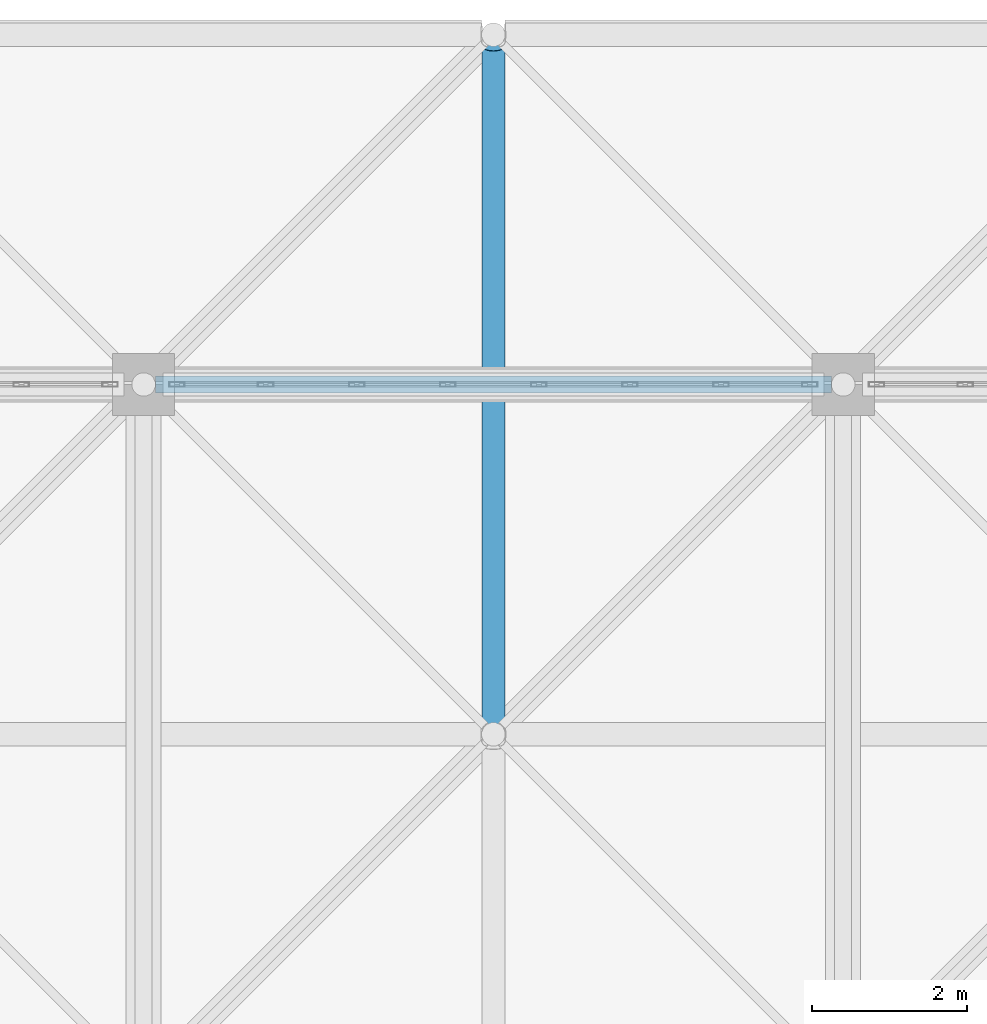
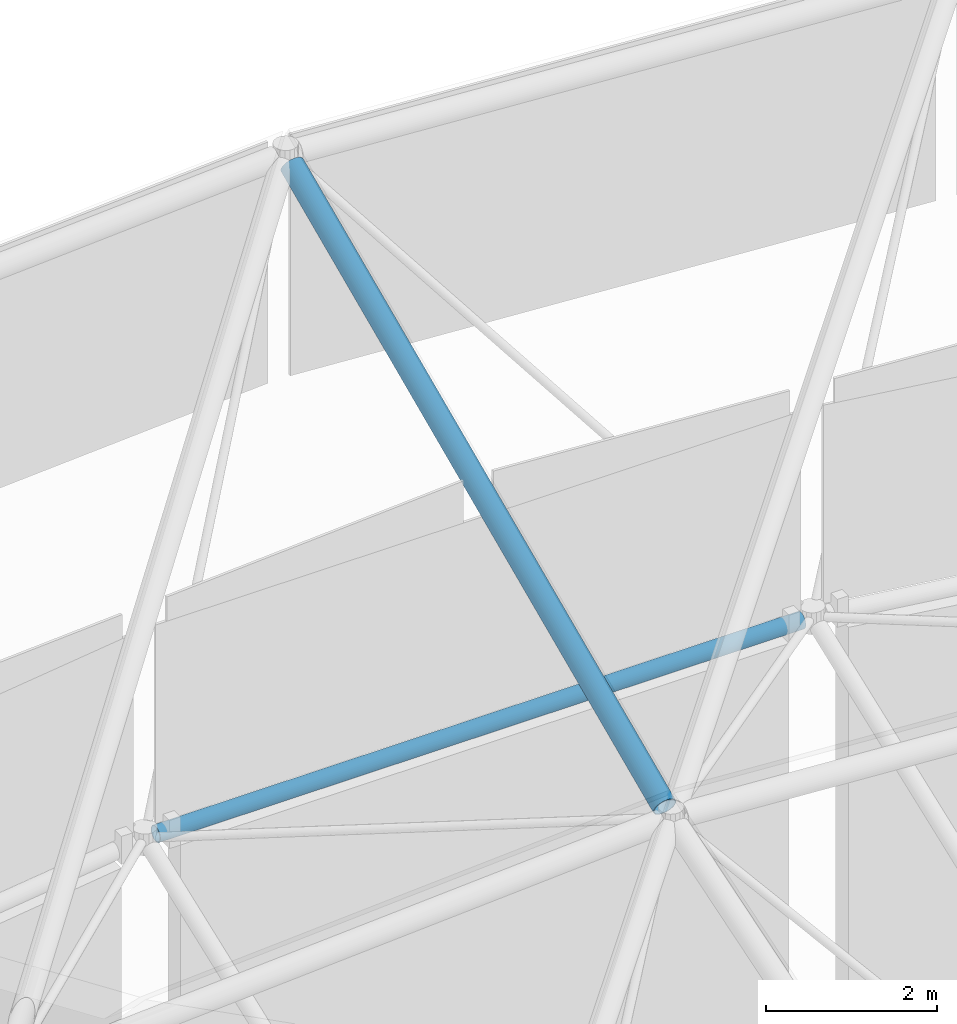
# One storey, part 122 of 437: 2 members.
"""IFC4 building model written with IfcOpenShell, lengths in metres."""

from ifc_helpers import new_model, si_unit, direction, frame, origin, origin_2d, place, context, subcontext, project, spatial, hollow_circle, extrude, material, material_profile, profile_set, type_object, element, save


model = new_model("IFC4")

# Units and contexts
model_context = context("Model", 3, precision=1e-05, world=origin(), true_north=direction((0.0, 1.0)))
body_context = subcontext(model_context, "Body", "Model", "MODEL_VIEW")
ifc_project = project(units=[si_unit("LENGTHUNIT", "METRE"), si_unit("AREAUNIT", "SQUARE_METRE"), si_unit("VOLUMEUNIT", "CUBIC_METRE"), si_unit("PLANEANGLEUNIT", "RADIAN"), si_unit("MASSUNIT", "GRAM", prefix="KILO")], contexts=[model_context])

# Site, building, storey
site_placement = place(None, origin())
site = spatial("IfcSite", under=ifc_project, at=site_placement, CompositionType="ELEMENT")
building_placement = place(site_placement, origin())
building = spatial("IfcBuilding", under=site, at=building_placement, Name="Opaline Strait Convention Centre", CompositionType="ELEMENT")
storey_placement = place(building_placement, frame((0.0, 0.0, 11.5)))
storey = spatial("IfcBuildingStorey", under=building, at=storey_placement, Name="L02", CompositionType="ELEMENT", Elevation=11.5)

# Members
ifc_material = material(Name="Steel Q355B", Category="steel")
ifc_material_profile_1 = material_profile(ifc_material, hollow_circle(Radius=0.109619140625, WallThickness=0.008056640625, at=origin_2d()), Name="CHS 219x8")
ifc_profile_set_1 = profile_set([ifc_material_profile_1], Name="Steel Q355B")
member_type_1 = type_object("IfcMemberType", Name="Shell truss bottom chord CHS 219x8", PredefinedType="CHORD", material=ifc_profile_set_1)
member_1_placement = place(storey_placement, frame((36.14990234375, 180.0, 17.552001953125), z_axis=(1.0, 0.0, 0.0), x_axis=(0.0, 1.0, 0.0)))
element("IfcMember", 1, at=member_1_placement, inside=storey, type_object=member_type_1, Name="PBC3 bottom chord X4-8", PredefinedType="CHORD", context=body_context, shape_type="SweptSolid", body=[
    extrude(hollow_circle(Radius=0.109619140625, WallThickness=0.008056640625, at=origin_2d()), origin(), (0.0, 0.0, 1.0), 8.7001953125),
])
ifc_material_profile_2 = material_profile(ifc_material, hollow_circle(Radius=0.1494140625, WallThickness=0.010009765625, at=origin_2d()), Name="CHS 299x10")
ifc_profile_set_2 = profile_set([ifc_material_profile_2], Name="Steel Q355B")
member_type_2 = type_object("IfcMemberType", Name="Shell truss top chord CHS 299x10", PredefinedType="CHORD", material=ifc_profile_set_2)
member_2_placement = place(storey_placement, frame((40.5, 175.64990234375, 19.054443359375), z_axis=(0.0, 0.913813663494, 0.406133707555), x_axis=(-1.0, 0.0, 0.0)))
element("IfcMember", 2, at=member_2_placement, inside=storey, type_object=member_type_2, Name="PTC2 top chord Y5-8", PredefinedType="CHORD", context=body_context, shape_type="SweptSolid", body=[
    extrude(hollow_circle(Radius=0.1494140625, WallThickness=0.010009765625, at=origin_2d()), origin(), (0.0, 0.0, 1.0), 9.520751953125),
])

save(model, "model.ifc")
